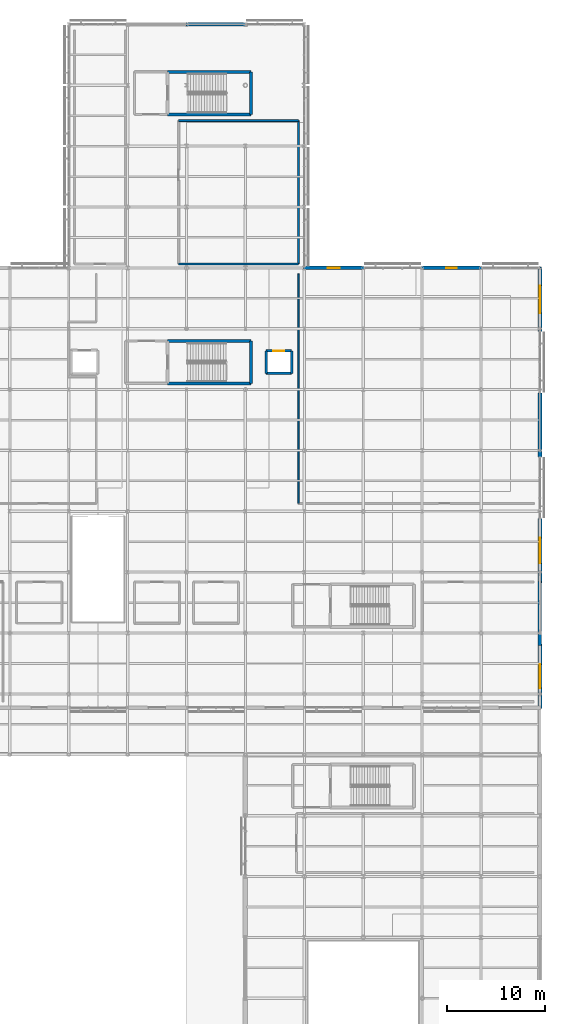
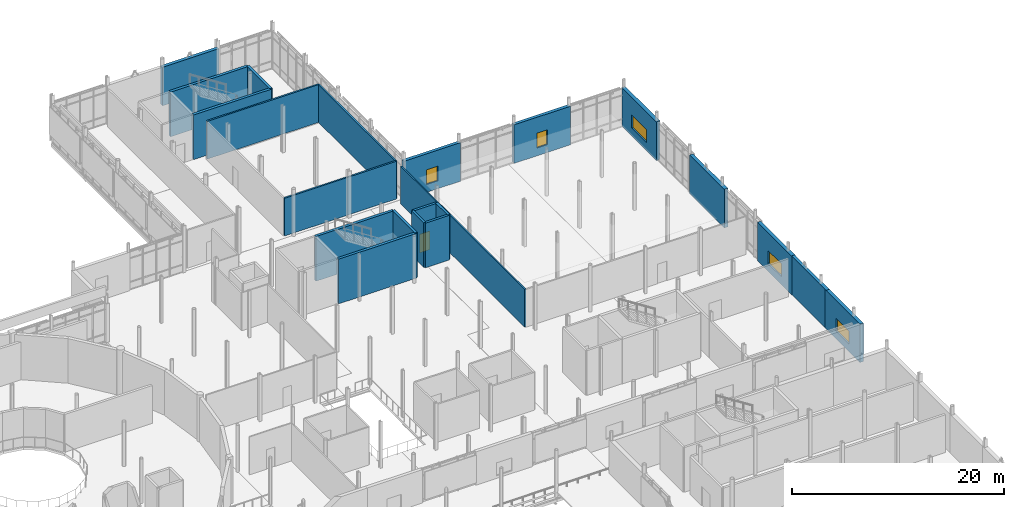
# One storey, part 72 of 105: 22 walls, 5 windows, 1 door, 6 openings.
"""IFC4 building model written with IfcOpenShell, lengths in metres."""

import ifcopenshell
import ifcopenshell.guid

model = None  # the IFC model being written
_history = None  # IfcOwnerHistory: only IFC2X3 demands one
_inside = {}  # id of a spatial element -> (the spatial element, [elements in it])
_under = {}  # id of a project, library or spatial element -> (it, [spatial elements below it])
_declared = {}  # id of a project -> (the project, [libraries it declares])
_typed = {}  # id of a type object -> (the type object, [elements of that type])
_made_of = {}  # id of a material, layer set ... -> (it, [elements and type objects made of it])


def new_model(schema):
    """Start an empty IFC model of exactly this schema.

    Asked for "IFC4X3", IfcOpenShell would pick the latest addendum, in which some entities
    have other attributes; the version numbers below select the first issue.
    IFC2X3 requires an IfcOwnerHistory on every rooted entity: one is made here for all.
    """
    global model, _history
    if schema == "IFC4X3":
        model = ifcopenshell.file(schema_version=(4, 3, 0, 0))
    else:
        model = ifcopenshell.file(schema=schema)
    _inside.clear()
    _under.clear()
    _declared.clear()
    _typed.clear()
    _made_of.clear()
    _history = None
    if model.schema == "IFC2X3":
        org = make("IfcOrganization", Name="unknown")
        user = make(
            "IfcPersonAndOrganization",
            ThePerson=make("IfcPerson", FamilyName="unknown"),
            TheOrganization=org,
        )
        app = make(
            "IfcApplication",
            ApplicationDeveloper=org,
            Version="unknown",
            ApplicationFullName="unknown",
            ApplicationIdentifier="unknown",
        )
        _history = make(
            "IfcOwnerHistory",
            OwningUser=user,
            OwningApplication=app,
            ChangeAction="ADDED",
            CreationDate=0,
        )
    return model


def make(cls, **values):
    """One entity of the class cls with the attributes given. An attribute that is None is left unset."""
    return model.create_entity(
        cls, **{name: value for name, value in values.items() if value is not None}
    )


def rooted(cls, **values):
    """An entity with a GlobalId (a new one), such as an element, a storey or a relation."""
    return make(cls, GlobalId=ifcopenshell.guid.new(), OwnerHistory=_history, **values)


def si_unit(unit_type, name, prefix=None):
    """IfcSIUnit, for example si_unit("LENGTHUNIT", "METRE", prefix="MILLI")."""
    return make("IfcSIUnit", UnitType=unit_type, Prefix=prefix, Name=name)


def assignment(units):
    """IfcUnitAssignment: the units of a project."""
    return None if units is None else make("IfcUnitAssignment", Units=units)


def point(xyz):
    """IfcCartesianPoint."""
    return None if xyz is None else make("IfcCartesianPoint", Coordinates=xyz)


def direction(xyz):
    """IfcDirection."""
    return None if xyz is None else make("IfcDirection", DirectionRatios=xyz)


def frame(location, z_axis=None, x_axis=None):
    """IfcAxis2Placement3D, a coordinate frame: its origin and axes. An axis left out is left unset."""
    return make(
        "IfcAxis2Placement3D",
        Location=point(location),
        Axis=direction(z_axis),
        RefDirection=direction(x_axis),
    )


def frame_2d(location, x_axis=None):
    """IfcAxis2Placement2D, a coordinate frame in the plane: its origin and x axis."""
    return make(
        "IfcAxis2Placement2D", Location=point(location), RefDirection=direction(x_axis)
    )


def origin():
    """The frame at (0, 0, 0) with its axes left unset."""
    return frame((0.0, 0.0, 0.0))


def place(relative_to, where):
    """IfcLocalPlacement: puts the frame where relative to a parent placement (None: the world)."""
    return make(
        "IfcLocalPlacement", PlacementRelTo=relative_to, RelativePlacement=where
    )


def context(
    kind, dimensions, precision=None, world=None, true_north=None, identifier=None
):
    """IfcGeometricRepresentationContext, for example the 3D "Model" context."""
    return make(
        "IfcGeometricRepresentationContext",
        ContextIdentifier=identifier,
        ContextType=kind,
        CoordinateSpaceDimension=dimensions,
        Precision=precision,
        WorldCoordinateSystem=world,
        TrueNorth=true_north,
    )


def subcontext(parent, identifier, kind, view, scale=None):
    """IfcGeometricRepresentationSubContext, for example "Body" below "Model"."""
    return make(
        "IfcGeometricRepresentationSubContext",
        ContextIdentifier=identifier,
        ContextType=kind,
        ParentContext=parent,
        TargetScale=scale,
        TargetView=view,
    )


def project(units=None, contexts=None):
    """IfcProject with its units and contexts."""
    return rooted(
        "IfcProject",
        Name="project",
        RepresentationContexts=contexts,
        UnitsInContext=assignment(units),
    )


def spatial(cls, under=None, at=None, **own):
    """A site, building, storey or space (cls), placed at a placement, below another one or the project."""
    s = rooted(cls, ObjectPlacement=at, **own)
    if under is not None:
        _under.setdefault(under.id(), (under, []))[1].append(s)
    return s


def profile(cls, at=None, kind="AREA", **sizes):
    """A parametric profile (cls). Its sizes go by their IFC names, for example OverallWidth=200.0."""
    return make(cls, ProfileType=kind, Position=at, **sizes)


def rectangle(**sizes):
    """IfcRectangleProfileDef."""
    return profile("IfcRectangleProfileDef", **sizes)


def extrude(swept, where, along, depth):
    """IfcExtrudedAreaSolid: the profile swept, set in the frame where, extruded along a direction by depth."""
    return make(
        "IfcExtrudedAreaSolid",
        SweptArea=swept,
        Position=where,
        ExtrudedDirection=direction(along),
        Depth=depth,
    )


def shape(context_of_items, identifier, shape_type, items):
    """IfcShapeRepresentation: the items that make up one representation, for example the "Body"."""
    return make(
        "IfcShapeRepresentation",
        ContextOfItems=context_of_items,
        RepresentationIdentifier=identifier,
        RepresentationType=shape_type,
        Items=items,
    )


def material(Name=None, Category=None):
    """IfcMaterial."""
    return make("IfcMaterial", Name=Name, Category=Category)


def layer(
    of_material, thickness, ventilated=None, Name=None, Category=None, Priority=None
):
    """IfcMaterialLayer: one layer of a wall or slab, of a material (None: an air gap)."""
    return make(
        "IfcMaterialLayer",
        Material=of_material,
        LayerThickness=thickness,
        IsVentilated=ventilated,
        Name=Name,
        Category=Category,
        Priority=Priority,
    )


def layer_set(layers, Name=None):
    """IfcMaterialLayerSet."""
    return make("IfcMaterialLayerSet", MaterialLayers=layers, LayerSetName=Name)


def made_of(thing, what):
    """Note that an element or type object is made of a material, layer set ...; save() writes the relation."""
    if what is not None:
        _made_of.setdefault(what.id(), (what, []))[1].append(thing)
    return thing


def type_object(cls, material=None, **own):
    """A type object (cls), such as IfcWallType, which elements share."""
    return made_of(rooted(cls, **own), material)


def element(
    cls,
    number,
    at=None,
    inside=None,
    cuts=None,
    type_object=None,
    material=None,
    context=None,
    identifier="Body",
    shape_type=None,
    held_by="IfcProductDefinitionShape",
    body=None,
    shapes=None,
    **own,
):
    """One element of the class cls, such as IfcWall. Its Tag is "e" and its number.

    at: its placement. inside: the storey or other place that contains it. cuts: it is an
    opening in that element (IfcRelVoidsElement). A single representation is given by context,
    identifier, shape_type and body (its items); several are given by shapes. held_by: the class
    of the entity that holds the representations. save() writes the other relations.
    """
    e = rooted(cls, Tag="e%d" % number, ObjectPlacement=at, **own)
    if body is not None:
        shapes = [shape(context, identifier, shape_type, body)]
    if shapes is not None:
        e.Representation = make(held_by, Representations=shapes)
    if inside is not None:
        _inside.setdefault(inside.id(), (inside, []))[1].append(e)
    if cuts is not None:
        rooted(
            "IfcRelVoidsElement", RelatingBuildingElement=cuts, RelatedOpeningElement=e
        )
    if type_object is not None:
        _typed.setdefault(type_object.id(), (type_object, []))[1].append(e)
    return made_of(e, material)


def fill(opening, filler):
    """IfcRelFillsElement: the door or window that sits in an opening."""
    return rooted(
        "IfcRelFillsElement",
        RelatingOpeningElement=opening,
        RelatedBuildingElement=filler,
    )


def aggregate(whole, parts):
    """IfcRelAggregates: a whole, such as a stair, and the parts it consists of."""
    return rooted("IfcRelAggregates", RelatingObject=whole, RelatedObjects=parts)


def save(model, path):
    """Write the relations noted so far, then the file.

    IfcRelAggregates (storeys below a building ...), IfcRelContainedInSpatialStructure (elements
    in a storey), IfcRelDefinesByType, IfcRelAssociatesMaterial and IfcRelDeclares: one each for
    every whole, place, type object, material and project.
    """
    for whole, parts in _under.values():
        aggregate(whole, parts)
    for where, things in _inside.values():
        rooted(
            "IfcRelContainedInSpatialStructure",
            RelatedElements=things,
            RelatingStructure=where,
        )
    for kind, things in _typed.values():
        rooted("IfcRelDefinesByType", RelatedObjects=things, RelatingType=kind)
    for what, things in _made_of.values():
        rooted("IfcRelAssociatesMaterial", RelatedObjects=things, RelatingMaterial=what)
    for by, libraries in _declared.values():
        rooted("IfcRelDeclares", RelatingContext=by, RelatedDefinitions=libraries)
    model.write(path)


model = new_model("IFC4")

# Units and contexts
model_context = context("Model", 3, precision=1e-05, world=origin(), true_north=direction((0.0, 1.0)))
body_context = subcontext(model_context, "Body", "Model", "MODEL_VIEW")
ifc_project = project(units=[si_unit("LENGTHUNIT", "METRE"), si_unit("AREAUNIT", "SQUARE_METRE"), si_unit("VOLUMEUNIT", "CUBIC_METRE"), si_unit("PLANEANGLEUNIT", "RADIAN"), si_unit("MASSUNIT", "GRAM", prefix="KILO")], contexts=[model_context])

# Site, building, storey
site_placement = place(None, origin())
site = spatial("IfcSite", under=ifc_project, at=site_placement, CompositionType="ELEMENT")
building_placement = place(site_placement, origin())
building = spatial("IfcBuilding", under=site, at=building_placement, Name="Mirzam Square Science Centre", CompositionType="ELEMENT")
storey_placement = place(building_placement, frame((0.0, 0.0, 5.39990234375)))
storey = spatial("IfcBuildingStorey", under=building, at=storey_placement, Name="L01", CompositionType="ELEMENT", Elevation=5.39990234375)

# Walls
ifc_material_1 = material(Name="Concrete C45/55", Category="concrete")
ifc_layer_1 = layer(ifc_material_1, 0.300048828125)
ifc_layer_set_1 = layer_set([ifc_layer_1], Name="W-CORE-300")
wall_type_1 = type_object("IfcWallType", Name="W-CORE-300", PredefinedType="SHEAR", material=ifc_layer_set_1)
for number, where, z_axis, x_axis, name in (
    (1, (124.0400390625, 75.0400390625, 0.0), (0.0, 0.0, 1.0), (1.0, 0.0, 0.0), "L01 CORE-4 south wall"),
    (2, (132.56005859375, 79.330078125, 0.0), (0.0, 0.0, 1.0), (-1.0, 0.0, 0.0), "L01 CORE-4 north wall"),
):
    element("IfcWall", number, at=place(storey_placement, frame(where, z_axis=z_axis, x_axis=x_axis)), inside=storey, type_object=wall_type_1, Name=name, PredefinedType="SHEAR", context=body_context, shape_type="SweptSolid", body=[
        extrude(rectangle(XDim=8.52001953125, YDim=0.300048828125, at=frame_2d((4.260009765625, 0.0))), origin(), (0.0, 0.0, 1.0), 5.150146484375),
    ])
wall_1_placement = place(storey_placement, frame((132.56005859375, 75.0400390625, 0.0), z_axis=(0.0, 0.0, 1.0), x_axis=(0.0, 1.0, 0.0)))
element("IfcWall", 3, at=wall_1_placement, inside=storey, type_object=wall_type_1, Name="L01 CORE-4 east wall", PredefinedType="SHEAR", context=body_context, shape_type="SweptSolid", body=[
    extrude(rectangle(XDim=4.2900390625, YDim=0.300048828125, at=frame_2d((2.14501953125, 0.0))), origin(), (0.0, 0.0, 1.0), 5.150146484375),
])
for number, where, z_axis, x_axis, name in (
    (4, (124.0400390625, 102.43994140625, 0.0), (0.0, 0.0, 1.0), (1.0, 0.0, 0.0), "L01 CORE-7 south wall"),
    (5, (132.56005859375, 106.77001953125, 0.0), (0.0, 0.0, 1.0), (-1.0, 0.0, 0.0), "L01 CORE-7 north wall"),
):
    element("IfcWall", number, at=place(storey_placement, frame(where, z_axis=z_axis, x_axis=x_axis)), inside=storey, type_object=wall_type_1, Name=name, PredefinedType="SHEAR", context=body_context, shape_type="SweptSolid", body=[
        extrude(rectangle(XDim=8.52001953125, YDim=0.300048828125, at=frame_2d((4.260009765625, 0.0))), origin(), (0.0, 0.0, 1.0), 5.150146484375),
    ])
wall_2_placement = place(storey_placement, frame((132.56005859375, 102.43994140625, 0.0), z_axis=(0.0, 0.0, 1.0), x_axis=(0.0, 1.0, 0.0)))
element("IfcWall", 6, at=wall_2_placement, inside=storey, type_object=wall_type_1, Name="L01 CORE-7 east wall", PredefinedType="SHEAR", context=body_context, shape_type="SweptSolid", body=[
    extrude(rectangle(XDim=4.330078125, YDim=0.300048828125, at=frame_2d((2.1650390625, 0.0))), origin(), (0.0, 0.0, 1.0), 5.150146484375),
])

# Wall, opening, window
ifc_material_2 = material(Name="Insulated Sand-Toned GFRC Concrete C40/50", Category="concrete")
ifc_layer_2 = layer(ifc_material_2, 0.340087890625)
ifc_layer_set_2 = layer_set([ifc_layer_2], Name="W-EXT-GFRC-340")
wall_type_2 = type_object("IfcWallType", Name="W-EXT-GFRC-340", PredefinedType="SOLIDWALL", material=ifc_layer_set_2)
wall_3_placement = place(storey_placement, frame((156.074951171875, 86.800048828125, 0.0), z_axis=(0.0, 0.0, 1.0), x_axis=(-1.0, 0.0, 0.0)))
wall_3 = element("IfcWall", 7, at=wall_3_placement, inside=storey, type_object=wall_type_2, Name="L01 external wall EW-EST-NE-L01-02", PredefinedType="SOLIDWALL", context=body_context, shape_type="SweptSolid", body=[
    extrude(rectangle(XDim=6.14990234375, YDim=0.340087890625, at=frame_2d((3.074951171875, 0.0))), origin(), (0.0, 0.0, 1.0), 4.440185546875),
])
opening_1_placement = place(wall_3_placement, frame((2.52490234375, 0.0, 0.89990234375)))
opening_1 = element("IfcOpeningElement", 8, at=opening_1_placement, cuts=wall_3, Name="Opening W-23", PredefinedType="OPENING", context=body_context, shape_type="SweptSolid", body=[
    extrude(rectangle(XDim=1.10009765625, YDim=1.699951171875, at=frame_2d((0.550048828125, 0.85009765625))), frame((0.0, 0.179931640625, 0.0), z_axis=(0.0, -1.0, 0.0), x_axis=(1.0, 0.0, 0.0)), (0.0, 0.0, 1.0), 0.360107421875),
])
ifc_material_3 = material(Name="Thermally Broken Bronze Aluminium and Low-E Glass", Category="aluminium")
window_type_1 = type_object("IfcWindowType", Name="WIN-1100x1700", PartitioningType="SINGLE_PANEL", PredefinedType="WINDOW", material=ifc_material_3)
window_1_placement = place(opening_1_placement, origin())
window_1 = element("IfcWindow", 9, at=window_1_placement, inside=storey, type_object=window_type_1, Name="L01 solar window 067", OverallHeight=1.699951171875, OverallWidth=1.10009765625, PartitioningType="SINGLE_PANEL", PredefinedType="WINDOW", context=body_context, shape_type="SweptSolid", body=[
    extrude(rectangle(XDim=1.10009765625, YDim=1.699951171875, at=frame_2d((0.550048828125, 0.85009765625))), frame((0.0, 0.030029296875, 0.0), z_axis=(0.0, -1.0, 0.0), x_axis=(1.0, 0.0, 0.0)), (0.0, 0.0, 1.0), 0.06005859375),
])
fill(opening_1, window_1)

wall_4_placement = place(storey_placement, frame((144.074951171875, 86.800048828125, 0.0), z_axis=(0.0, 0.0, 1.0), x_axis=(-1.0, 0.0, 0.0)))
wall_4 = element("IfcWall", 10, at=wall_4_placement, inside=storey, type_object=wall_type_2, Name="L01 external wall EW-EST-NE-L01-04", PredefinedType="SOLIDWALL", context=body_context, shape_type="SweptSolid", body=[
    extrude(rectangle(XDim=6.14990234375, YDim=0.340087890625, at=frame_2d((3.074951171875, 0.0))), origin(), (0.0, 0.0, 1.0), 4.440185546875),
])
opening_2_placement = place(wall_4_placement, frame((2.449951171875, 0.0, 0.89990234375)))
opening_2 = element("IfcOpeningElement", 11, at=opening_2_placement, cuts=wall_4, Name="Opening W-24", PredefinedType="OPENING", context=body_context, shape_type="SweptSolid", body=[
    extrude(rectangle(XDim=1.25, YDim=1.699951171875, at=frame_2d((0.625, 0.85009765625))), frame((0.0, 0.179931640625, 0.0), z_axis=(0.0, -1.0, 0.0), x_axis=(1.0, 0.0, 0.0)), (0.0, 0.0, 1.0), 0.360107421875),
])
window_type_2 = type_object("IfcWindowType", Name="WIN-1250x1700", PartitioningType="SINGLE_PANEL", PredefinedType="WINDOW", material=ifc_material_3)
window_2_placement = place(opening_2_placement, origin())
window_2 = element("IfcWindow", 12, at=window_2_placement, inside=storey, type_object=window_type_2, Name="L01 solar window 068", OverallHeight=1.699951171875, OverallWidth=1.25, PartitioningType="SINGLE_PANEL", PredefinedType="WINDOW", context=body_context, shape_type="SweptSolid", body=[
    extrude(rectangle(XDim=1.25, YDim=1.699951171875, at=frame_2d((0.625, 0.85009765625))), frame((0.0, 0.030029296875, 0.0), z_axis=(0.0, -1.0, 0.0), x_axis=(1.0, 0.0, 0.0)), (0.0, 0.0, 1.0), 0.06005859375),
])
fill(opening_2, window_2)

ifc_layer_3 = layer(ifc_material_2, 0.385009765625)
ifc_layer_set_3 = layer_set([ifc_layer_3], Name="W-EXT-GFRC-385")
wall_type_3 = type_object("IfcWallType", Name="W-EXT-GFRC-385", PredefinedType="SOLIDWALL", material=ifc_layer_set_3)
wall_5_placement = place(storey_placement, frame((162.0, 41.925048828125, 0.0), z_axis=(0.0, 0.0, 1.0), x_axis=(0.0, 1.0, 0.0)))
wall_5 = element("IfcWall", 13, at=wall_5_placement, inside=storey, type_object=wall_type_3, Name="L01 external wall EW-EST-E-L01-01", PredefinedType="SOLIDWALL", context=body_context, shape_type="SweptSolid", body=[
    extrude(rectangle(XDim=6.550048828125, YDim=0.385009765625, at=frame_2d((3.27490234375, 0.0))), origin(), (0.0, 0.0, 1.0), 4.440185546875),
])
opening_3_placement = place(wall_5_placement, frame((2.074951171875, 0.0, 0.89990234375)))
opening_3 = element("IfcOpeningElement", 14, at=opening_3_placement, cuts=wall_5, Name="Opening W-20", PredefinedType="OPENING", context=body_context, shape_type="SweptSolid", body=[
    extrude(rectangle(XDim=2.39990234375, YDim=1.5, at=frame_2d((1.199951171875, 0.75))), frame((0.0, 0.202392578125, 0.0), z_axis=(0.0, -1.0, 0.0), x_axis=(1.0, 0.0, 0.0)), (0.0, 0.0, 1.0), 0.405029296875),
])
window_type_3 = type_object("IfcWindowType", Name="WIN-2400x1500", PartitioningType="DOUBLE_PANEL_VERTICAL", PredefinedType="WINDOW", material=ifc_material_3)
window_3_placement = place(opening_3_placement, origin())
window_3 = element("IfcWindow", 15, at=window_3_placement, inside=storey, type_object=window_type_3, Name="L01 solar window 064", OverallHeight=1.5, OverallWidth=2.39990234375, PartitioningType="DOUBLE_PANEL_VERTICAL", PredefinedType="WINDOW", context=body_context, shape_type="SweptSolid", body=[
    extrude(rectangle(XDim=2.39990234375, YDim=1.5, at=frame_2d((1.199951171875, 0.75))), frame((0.0, 0.030029296875, 0.0), z_axis=(0.0, -1.0, 0.0), x_axis=(1.0, 0.0, 0.0)), (0.0, 0.0, 1.0), 0.06005859375),
])
fill(opening_3, window_3)

wall_6_placement = place(storey_placement, frame((162.0, 54.72509765625, 0.0), z_axis=(0.0, 0.0, 1.0), x_axis=(0.0, 1.0, 0.0)))
wall_6 = element("IfcWall", 16, at=wall_6_placement, inside=storey, type_object=wall_type_3, Name="L01 external wall EW-EST-E-L01-03", PredefinedType="SOLIDWALL", context=body_context, shape_type="SweptSolid", body=[
    extrude(rectangle(XDim=6.5498046875, YDim=0.385009765625, at=frame_2d((3.27490234375, 0.0))), origin(), (0.0, 0.0, 1.0), 4.440185546875),
])
opening_4_placement = place(wall_6_placement, frame((1.97509765625, 0.0, 0.89990234375)))
opening_4 = element("IfcOpeningElement", 17, at=opening_4_placement, cuts=wall_6, Name="Opening W-21", PredefinedType="OPENING", context=body_context, shape_type="SweptSolid", body=[
    extrude(rectangle(XDim=2.60009765625, YDim=1.5, at=frame_2d((1.300048828125, 0.75))), frame((0.0, 0.202392578125, 0.0), z_axis=(0.0, -1.0, 0.0), x_axis=(1.0, 0.0, 0.0)), (0.0, 0.0, 1.0), 0.405029296875),
])
window_type_4 = type_object("IfcWindowType", Name="WIN-2600x1500", PartitioningType="DOUBLE_PANEL_VERTICAL", PredefinedType="WINDOW", material=ifc_material_3)
window_4_placement = place(opening_4_placement, origin())
window_4 = element("IfcWindow", 18, at=window_4_placement, inside=storey, type_object=window_type_4, Name="L01 solar window 065", OverallHeight=1.5, OverallWidth=2.60009765625, PartitioningType="DOUBLE_PANEL_VERTICAL", PredefinedType="WINDOW", context=body_context, shape_type="SweptSolid", body=[
    extrude(rectangle(XDim=2.60009765625, YDim=1.5, at=frame_2d((1.300048828125, 0.75))), frame((0.0, 0.030029296875, 0.0), z_axis=(0.0, -1.0, 0.0), x_axis=(1.0, 0.0, 0.0)), (0.0, 0.0, 1.0), 0.06005859375),
])
fill(opening_4, window_4)

# Wall
wall_7_placement = place(storey_placement, frame((162.0, 67.52490234375, 0.0), z_axis=(0.0, 0.0, 1.0), x_axis=(0.0, 1.0, 0.0)))
element("IfcWall", 19, at=wall_7_placement, inside=storey, type_object=wall_type_3, Name="L01 external wall EW-EST-E-L01-05", PredefinedType="SOLIDWALL", context=body_context, shape_type="SweptSolid", body=[
    extrude(rectangle(XDim=6.550048828125, YDim=0.385009765625, at=frame_2d((3.27490234375, 0.0))), origin(), (0.0, 0.0, 1.0), 4.440185546875),
])

# Wall, opening, window
wall_8_placement = place(storey_placement, frame((162.0, 80.324951171875, 0.0), z_axis=(0.0, 0.0, 1.0), x_axis=(0.0, 1.0, 0.0)))
wall_8 = element("IfcWall", 20, at=wall_8_placement, inside=storey, type_object=wall_type_3, Name="L01 external wall EW-EST-E-L01-07", PredefinedType="SOLIDWALL", context=body_context, shape_type="SweptSolid", body=[
    extrude(rectangle(XDim=6.550048828125, YDim=0.385009765625, at=frame_2d((3.27490234375, 0.0))), origin(), (0.0, 0.0, 1.0), 4.440185546875),
])
opening_5_placement = place(wall_8_placement, frame((1.875, 0.0, 0.89990234375)))
opening_5 = element("IfcOpeningElement", 21, at=opening_5_placement, cuts=wall_8, Name="Opening W-22", PredefinedType="OPENING", context=body_context, shape_type="SweptSolid", body=[
    extrude(rectangle(XDim=2.800048828125, YDim=1.5, at=frame_2d((1.39990234375, 0.75))), frame((0.0, 0.202392578125, 0.0), z_axis=(0.0, -1.0, 0.0), x_axis=(1.0, 0.0, 0.0)), (0.0, 0.0, 1.0), 0.405029296875),
])
window_type_5 = type_object("IfcWindowType", Name="WIN-2800x1500", PartitioningType="DOUBLE_PANEL_VERTICAL", PredefinedType="WINDOW", material=ifc_material_3)
window_5_placement = place(opening_5_placement, origin())
window_5 = element("IfcWindow", 22, at=window_5_placement, inside=storey, type_object=window_type_5, Name="L01 solar window 066", OverallHeight=1.5, OverallWidth=2.800048828125, PartitioningType="DOUBLE_PANEL_VERTICAL", PredefinedType="WINDOW", context=body_context, shape_type="SweptSolid", body=[
    extrude(rectangle(XDim=2.800048828125, YDim=1.5, at=frame_2d((1.39990234375, 0.75))), frame((0.0, 0.030029296875, 0.0), z_axis=(0.0, -1.0, 0.0), x_axis=(1.0, 0.0, 0.0)), (0.0, 0.0, 1.0), 0.06005859375),
])
fill(opening_5, window_5)

# Walls
ifc_material_4 = material(Name="Standing-Seam Zinc-Clad Concrete Backup C40/50", Category="concrete")
ifc_layer_4 = layer(ifc_material_4, 0.35009765625)
ifc_layer_set_4 = layer_set([ifc_layer_4], Name="W-EXT-METAL-350")
wall_type_4 = type_object("IfcWallType", Name="W-EXT-METAL-350", PredefinedType="SOLIDWALL", material=ifc_layer_set_4)
wall_9_placement = place(storey_placement, frame((162.0, 48.324951171875, 0.0), z_axis=(0.0, 0.0, 1.0), x_axis=(0.0, 1.0, 0.0)))
element("IfcWall", 23, at=wall_9_placement, inside=storey, type_object=wall_type_4, Name="L01 external wall EW-EST-E-L01-02", PredefinedType="SOLIDWALL", context=body_context, shape_type="SweptSolid", body=[
    extrude(rectangle(XDim=6.550048828125, YDim=0.35009765625, at=frame_2d((3.27490234375, 0.0))), origin(), (0.0, 0.0, 1.0), 4.440185546875),
])
wall_10_placement = place(storey_placement, frame((132.074951171875, 111.60009765625, 0.0), z_axis=(0.0, 0.0, 1.0), x_axis=(-1.0, 0.0, 0.0)))
element("IfcWall", 24, at=wall_10_placement, inside=storey, type_object=wall_type_4, Name="L01 external wall EW-NEP-N-L01-22", PredefinedType="SOLIDWALL", context=body_context, shape_type="SweptSolid", body=[
    extrude(rectangle(XDim=6.14990234375, YDim=0.35009765625, at=frame_2d((3.074951171875, 0.0))), origin(), (0.0, 0.0, 1.0), 4.440185546875),
])
ifc_material_5 = material(Name="Laboratory Acoustic Partition", Category="gypsum")
ifc_layer_5 = layer(ifc_material_5, 0.14990234375)
ifc_layer_set_5 = layer_set([ifc_layer_5], Name="W-PART-150")
wall_type_5 = type_object("IfcWallType", Name="W-PART-150", PredefinedType="PARTITIONING", material=ifc_layer_set_5)
wall_11_placement = place(storey_placement, frame((137.39990234375, 62.800048828125, 0.0), z_axis=(0.0, 0.0, 1.0), x_axis=(0.0, 1.0, 0.0)))
element("IfcWall", 25, at=wall_11_placement, inside=storey, type_object=wall_type_5, Name="L01 Junior Physics Dry Laboratory 1 partition 143", PredefinedType="PARTITIONING", context=body_context, shape_type="SweptSolid", body=[
    extrude(rectangle(XDim=23.39990234375, YDim=0.14990234375, at=frame_2d((11.699951171875, 0.0))), origin(), (0.0, 0.0, 1.0), 4.35009765625),
])
ifc_material_6 = material(Name="Workshop Acoustic Masonry Partition", Category="masonry")
ifc_layer_6 = layer(ifc_material_6, 0.179931640625)
ifc_layer_set_6 = layer_set([ifc_layer_6], Name="W-PART-180")
wall_type_6 = type_object("IfcWallType", Name="W-PART-180", PredefinedType="PARTITIONING", material=ifc_layer_set_6)
wall_12_placement = place(storey_placement, frame((125.199951171875, 101.800048828125, 0.0), z_axis=(0.0, 0.0, 1.0), x_axis=(1.0, 0.0, 0.0)))
element("IfcWall", 26, at=wall_12_placement, inside=storey, type_object=wall_type_6, Name="L01 Educational Curriculum Design Studio partition 147", PredefinedType="PARTITIONING", context=body_context, shape_type="SweptSolid", body=[
    extrude(rectangle(XDim=12.199951171875, YDim=0.179931640625, at=frame_2d((6.10009765625, 0.0))), origin(), (0.0, 0.0, 1.0), 4.35009765625),
])
wall_13_placement = place(storey_placement, frame((137.39990234375, 101.800048828125, 0.0), z_axis=(0.0, 0.0, 1.0), x_axis=(0.0, -1.0, 0.0)))
element("IfcWall", 27, at=wall_13_placement, inside=storey, type_object=wall_type_6, Name="L01 Educational Curriculum Design Studio partition 148", PredefinedType="PARTITIONING", context=body_context, shape_type="SweptSolid", body=[
    extrude(rectangle(XDim=14.60009765625, YDim=0.179931640625, at=frame_2d((7.300048828125, 0.0))), origin(), (0.0, 0.0, 1.0), 4.35009765625),
])
wall_14_placement = place(storey_placement, frame((137.39990234375, 87.199951171875, 0.0), z_axis=(0.0, 0.0, 1.0), x_axis=(-1.0, 0.0, 0.0)))
element("IfcWall", 28, at=wall_14_placement, inside=storey, type_object=wall_type_6, Name="L01 Educational Curriculum Design Studio partition 149", PredefinedType="PARTITIONING", context=body_context, shape_type="SweptSolid", body=[
    extrude(rectangle(XDim=12.199951171875, YDim=0.179931640625, at=frame_2d((6.10009765625, 0.0))), origin(), (0.0, 0.0, 1.0), 4.35009765625),
])
ifc_layer_7 = layer(ifc_material_1, 0.25)
ifc_layer_set_7 = layer_set([ifc_layer_7], Name="W-SHAFT-250")
wall_type_7 = type_object("IfcWallType", Name="W-SHAFT-250", PredefinedType="SHEAR", material=ifc_layer_set_7)
wall_15_placement = place(storey_placement, frame((134.10009765625, 76.050048828125, 0.0), z_axis=(0.0, 0.0, 1.0), x_axis=(1.0, 0.0, 0.0)))
element("IfcWall", 29, at=wall_15_placement, inside=storey, type_object=wall_type_7, Name="L01 lift LP-03 shaft wall S", PredefinedType="SHEAR", context=body_context, shape_type="SweptSolid", body=[
    extrude(rectangle(XDim=2.599853515625, YDim=0.25, at=frame_2d((1.2998046875, 0.0))), origin(), (0.0, 0.0, 1.0), 5.150146484375),
])

# Wall, opening, door
wall_16_placement = place(storey_placement, frame((136.699951171875, 78.35009765625, 0.0), z_axis=(0.0, 0.0, 1.0), x_axis=(-1.0, 0.0, 0.0)))
wall_16 = element("IfcWall", 30, at=wall_16_placement, inside=storey, type_object=wall_type_7, Name="L01 lift LP-03 shaft wall N", PredefinedType="SHEAR", context=body_context, shape_type="SweptSolid", body=[
    extrude(rectangle(XDim=2.599853515625, YDim=0.25, at=frame_2d((1.2998046875, 0.0))), origin(), (0.0, 0.0, 1.0), 5.150146484375),
])
opening_6_placement = place(wall_16_placement, frame((0.75, 0.0, 0.0)))
opening_6 = element("IfcOpeningElement", 31, at=opening_6_placement, cuts=wall_16, Name="Opening LD-01", PredefinedType="OPENING", context=body_context, shape_type="SweptSolid", body=[
    extrude(rectangle(XDim=1.10009765625, YDim=2.14990234375, at=frame_2d((0.550048828125, 1.074951171875))), frame((0.0, 0.135009765625, 0.0), z_axis=(0.0, -1.0, 0.0), x_axis=(1.0, 0.0, 0.0)), (0.0, 0.0, 1.0), 0.27001953125),
])
ifc_material_7 = material(Name="Brushed Stainless Steel 316L Sliding Lift Door", Category="steel")
door_type = type_object("IfcDoorType", Name="LD-PASS-1100x2150", OperationType="DOUBLE_DOOR_SLIDING", PredefinedType="DOOR", material=ifc_material_7)
door_placement = place(opening_6_placement, origin())
door = element("IfcDoor", 32, at=door_placement, inside=storey, type_object=door_type, Name="LD-LP-03-L01", OperationType="DOUBLE_DOOR_SLIDING", OverallHeight=2.14990234375, OverallWidth=1.10009765625, PredefinedType="DOOR", context=body_context, shape_type="SweptSolid", body=[
    extrude(rectangle(XDim=1.10009765625, YDim=2.14990234375, at=frame_2d((0.550048828125, 1.074951171875))), frame((0.0, 0.02490234375, 0.0), z_axis=(0.0, -1.0, 0.0), x_axis=(1.0, 0.0, 0.0)), (0.0, 0.0, 1.0), 0.050048828125),
])
fill(opening_6, door)

# Walls
for number, where, z_axis, x_axis, name in (
    (33, (134.10009765625, 78.35009765625, 0.0), (0.0, 0.0, 1.0), (0.0, -1.0, 0.0), "L01 lift LP-03 shaft wall W"),
    (34, (136.699951171875, 76.050048828125, 0.0), (0.0, 0.0, 1.0), (0.0, 1.0, 0.0), "L01 lift LP-03 shaft wall E"),
):
    element("IfcWall", number, at=place(storey_placement, frame(where, z_axis=z_axis, x_axis=x_axis)), inside=storey, type_object=wall_type_7, Name=name, PredefinedType="SHEAR", context=body_context, shape_type="SweptSolid", body=[
        extrude(rectangle(XDim=2.300048828125, YDim=0.25, at=frame_2d((1.14990234375, 0.0))), origin(), (0.0, 0.0, 1.0), 5.150146484375),
    ])

save(model, "model.ifc")
